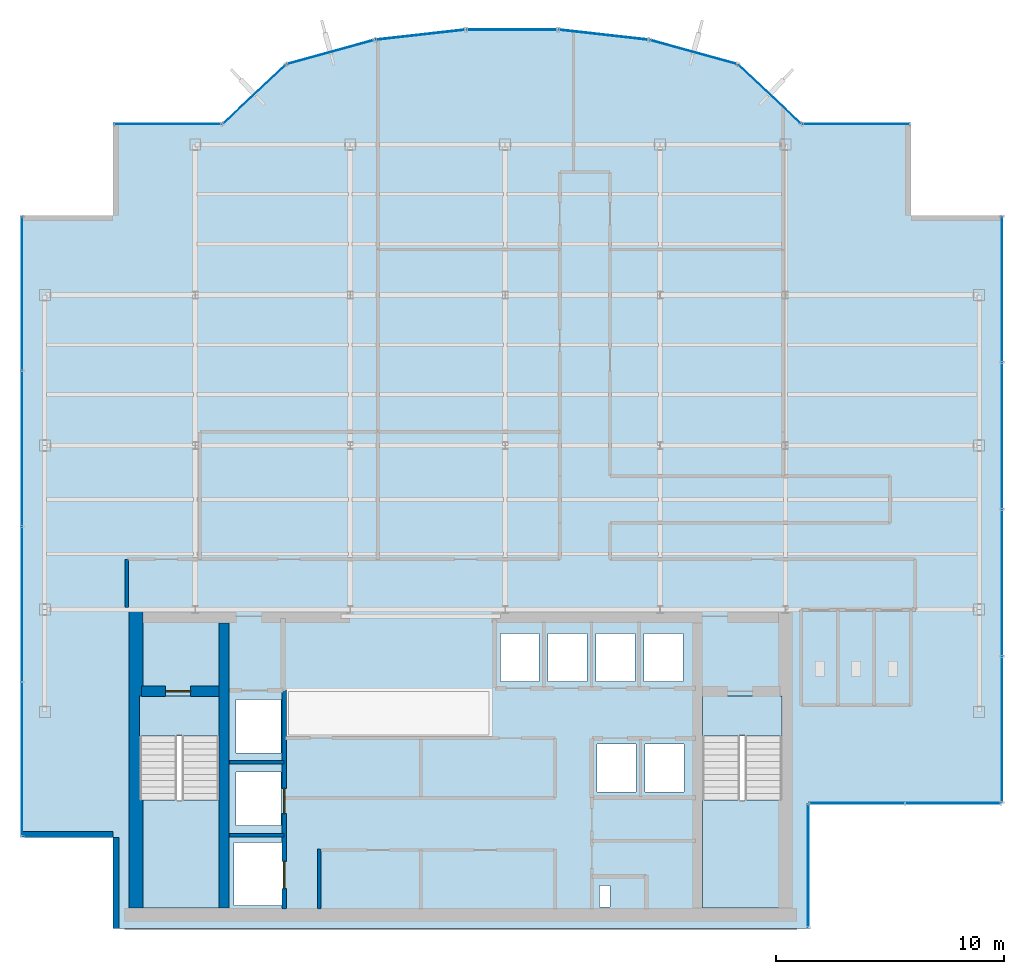
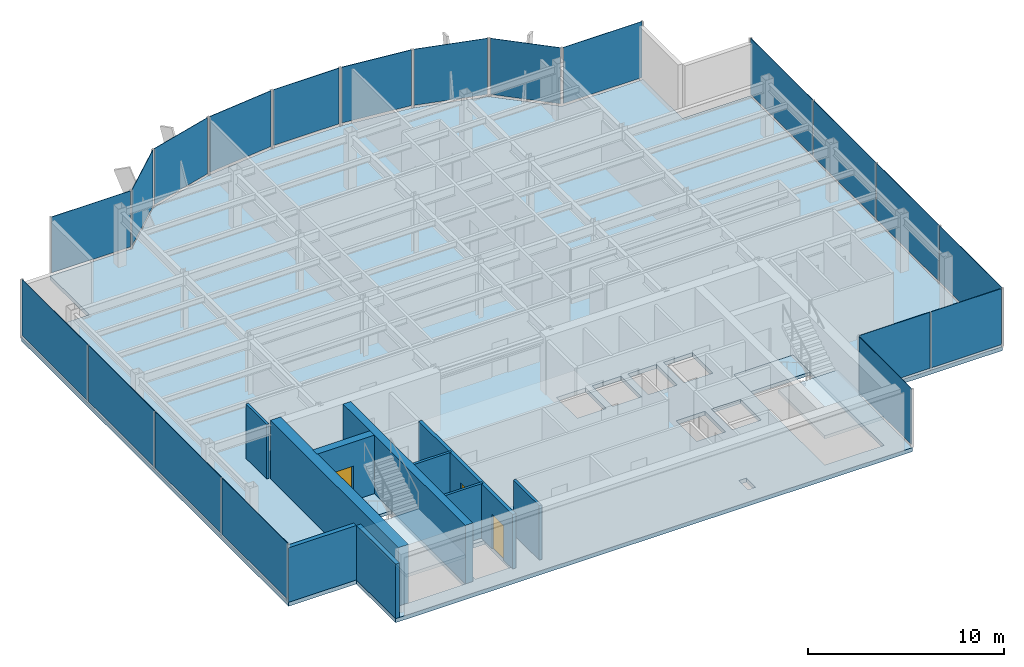
# One storey, part 16 of 22: 20 plates, 10 walls, 5 slabs, 3 doors, 3 openings, 15 elements without a shape of their own.
"""IFC4 building model written with IfcOpenShell, lengths in metres."""

from ifc_helpers import new_model, si_unit, derived_unit, direction, frame, frame_2d, origin, origin_2d, place, context, subcontext, project, spatial, polyline, rectangle, outline, extrude, source, transform, mapped, material, layer, layer_set, type_object, element, fill, aggregate, save


model = new_model("IFC4")

# Units and contexts
model_context = context("Model", 3, precision=1e-05, world=origin(), true_north=direction((0.0, 1.0)))
body_context = subcontext(model_context, "Body", "Model", "MODEL_VIEW")
ifc_project = project(units=[si_unit("LENGTHUNIT", "METRE"), si_unit("AREAUNIT", "SQUARE_METRE"), si_unit("VOLUMEUNIT", "CUBIC_METRE"), si_unit("PLANEANGLEUNIT", "RADIAN"), si_unit("MASSUNIT", "GRAM", prefix="KILO"), derived_unit("THERMALTRANSMITTANCEUNIT", [(si_unit("POWERUNIT", "WATT"), 1), (si_unit("LENGTHUNIT", "METRE"), -2), (si_unit("THERMODYNAMICTEMPERATUREUNIT", "KELVIN"), -1)])], contexts=[model_context])

# Site, building, storey
site_placement = place(None, origin())
site = spatial("IfcSite", under=ifc_project, at=site_placement, CompositionType="ELEMENT")
building_placement = place(site_placement, origin())
building = spatial("IfcBuilding", under=site, at=building_placement, Name="Skarnbrae Concourse Arena and Tower", CompositionType="ELEMENT")
storey_placement = place(building_placement, frame((0.0, 0.0, 217.800048828125)))
storey = spatial("IfcBuildingStorey", under=building, at=storey_placement, Name="L56", CompositionType="ELEMENT", Elevation=217.800048828125)

# Stair, slab
ifc_material_1 = material(Name="Concrete 40 MPa (C40/50)", Category="concrete")
stair_type = type_object("IfcStairType", Name="STAIR-DOGLEG-1650", PredefinedType="HALF_TURN_STAIR", material=ifc_material_1)
stair_1_placement = place(storey_placement, origin())
stair_1 = element("IfcStair", 1, at=stair_1_placement, inside=storey, type_object=stair_type, Name="L56 Protected Exit Stair ST-1", PredefinedType="HALF_TURN_STAIR")
ifc_layer_1 = layer(ifc_material_1, 0.199951171875)
ifc_layer_set_1 = layer_set([ifc_layer_1], Name="Concrete 40 MPa (C40/50)")
slab_type_1 = type_object("IfcSlabType", Name="SLAB-LANDING-200", PredefinedType="LANDING", material=ifc_layer_set_1)
slab_1_placement = place(storey_placement, frame((0.0, 0.0, 1.625)))
slab_1 = element("IfcSlab", 2, at=slab_1_placement, type_object=slab_type_1, Name="ST-1 landing 1", PredefinedType="LANDING", context=body_context, shape_type="SweptSolid", body=[
    extrude(outline(polyline([(5.14990234375, 5.64990234375), (5.14990234375, 0.89990234375), (8.64990234375, 0.89990234375), (8.64990234375, 5.64990234375), (5.14990234375, 5.64990234375)])), origin(), (0.0, 0.0, 1.0), 0.199951171875),
])
aggregate(stair_1, [slab_1])

stair_2_placement = place(storey_placement, origin())
stair_2 = element("IfcStair", 3, at=stair_2_placement, inside=storey, type_object=stair_type, Name="L56 Protected Exit Stair ST-2", PredefinedType="HALF_TURN_STAIR")
slab_2_placement = place(storey_placement, frame((0.0, 0.0, 1.625)))
slab_2 = element("IfcSlab", 4, at=slab_2_placement, type_object=slab_type_1, Name="ST-2 landing 1", PredefinedType="LANDING", context=body_context, shape_type="SweptSolid", body=[
    extrude(outline(polyline([(29.85009765625, 5.64990234375), (29.85009765625, 0.89990234375), (33.35009765625, 0.89990234375), (33.35009765625, 5.64990234375), (29.85009765625, 5.64990234375)])), origin(), (0.0, 0.0, 1.0), 0.199951171875),
])
aggregate(stair_2, [slab_2])

# Slabs
slab_3_placement = place(storey_placement, frame((0.0, 0.0, -0.199951171875)))
element("IfcSlab", 5, at=slab_3_placement, inside=storey, type_object=slab_type_1, Name="L56 Core stair ST1 floor landing", PredefinedType="LANDING", context=body_context, shape_type="SweptSolid", body=[
    extrude(outline(polyline([(5.14990234375, 10.199951171875), (5.14990234375, 8.449951171875), (8.64990234375, 8.449951171875), (8.64990234375, 10.199951171875), (5.14990234375, 10.199951171875)])), origin(), (0.0, 0.0, 1.0), 0.199951171875),
])
slab_4_placement = place(storey_placement, frame((0.0, 0.0, -0.199951171875)))
element("IfcSlab", 6, at=slab_4_placement, inside=storey, type_object=slab_type_1, Name="L56 Core stair ST2 floor landing", PredefinedType="LANDING", context=body_context, shape_type="SweptSolid", body=[
    extrude(outline(polyline([(29.85009765625, 10.199951171875), (29.85009765625, 8.449951171875), (33.35009765625, 8.449951171875), (33.35009765625, 10.199951171875), (29.85009765625, 10.199951171875)])), origin(), (0.0, 0.0, 1.0), 0.199951171875),
])
ifc_layer_2 = layer(ifc_material_1, 0.25)
ifc_layer_set_2 = layer_set([ifc_layer_2], Name="Concrete 40 MPa (C40/50)")
slab_type_2 = type_object("IfcSlabType", Name="SLAB-TOWER-250", PredefinedType="FLOOR", material=ifc_layer_set_2)
slab_5_placement = place(storey_placement, frame((0.0, 0.0, -0.25)))
element("IfcSlab", 7, at=slab_5_placement, inside=storey, type_object=slab_type_2, Name="L56 Structural floor slab", PredefinedType="FLOOR", context=body_context, shape_type="SweptSolid", body=[
    extrude(outline(polyline([(4.0, 0.0), (34.5, 0.0), (34.5, 5.5), (43.0, 5.5), (43.0, 31.300048828125), (39.0, 31.300048828125), (39.0, 35.300048828125), (34.199951171875, 35.300048828125), (31.40966796875, 37.9267578125), (27.52587890625, 38.9970703125), (23.51708984375, 39.44677734375), (19.48291015625, 39.44677734375), (15.47412109375, 38.9970703125), (11.59033203125, 37.9267578125), (8.800048828125, 35.300048828125), (4.0, 35.300048828125), (4.0, 31.300048828125), (0.0, 31.300048828125), (0.0, 4.0), (4.0, 4.0), (4.0, 0.0)]), holes=[polyline([(9.294921875, 1.02001953125), (9.294921875, 3.780029296875), (11.455078125, 3.780029296875), (11.455078125, 1.02001953125), (9.294921875, 1.02001953125)]), polyline([(8.64990234375, 10.199951171875), (8.64990234375, 0.89990234375), (5.14990234375, 0.89990234375), (5.14990234375, 10.199951171875), (8.64990234375, 10.199951171875)]), polyline([(9.39501953125, 6.8798828125), (11.35498046875, 6.8798828125), (11.35498046875, 4.52001953125), (9.39501953125, 4.52001953125), (9.39501953125, 6.8798828125)]), polyline([(9.39501953125, 7.695068359375), (9.39501953125, 10.054931640625), (11.35498046875, 10.054931640625), (11.35498046875, 7.695068359375), (9.39501953125, 7.695068359375)]), polyline([(20.985107421875, 12.955078125), (22.695068359375, 12.955078125), (22.695068359375, 10.844970703125), (20.985107421875, 10.844970703125), (20.985107421875, 12.955078125)]), polyline([(23.0849609375, 12.955078125), (24.794921875, 12.955078125), (24.794921875, 10.844970703125), (23.0849609375, 10.844970703125), (23.0849609375, 12.955078125)]), polyline([(25.35009765625, 0.949951171875), (25.35009765625, 1.889892578125), (25.800048828125, 1.889892578125), (25.800048828125, 0.949951171875), (25.35009765625, 0.949951171875)]), polyline([(33.35009765625, 10.199951171875), (33.35009765625, 0.89990234375), (29.85009765625, 0.89990234375), (29.85009765625, 10.199951171875), (33.35009765625, 10.199951171875)]), polyline([(25.235107421875, 8.10498046875), (26.945068359375, 8.10498046875), (26.945068359375, 5.9951171875), (25.235107421875, 5.9951171875), (25.235107421875, 8.10498046875)]), polyline([(27.3349609375, 5.9951171875), (27.3349609375, 8.10498046875), (29.044921875, 8.10498046875), (29.044921875, 5.9951171875), (27.3349609375, 5.9951171875)]), polyline([(25.18505859375, 12.955078125), (26.89501953125, 12.955078125), (26.89501953125, 10.844970703125), (25.18505859375, 10.844970703125), (25.18505859375, 12.955078125)]), polyline([(27.284912109375, 12.955078125), (28.9951171875, 12.955078125), (28.9951171875, 10.844970703125), (27.284912109375, 10.844970703125), (27.284912109375, 12.955078125)])]), origin(), (0.0, 0.0, 1.0), 0.25),
])

# Curtain wall, plate
ifc_material_2 = material(Name="Bronze anodised aluminium 6063-T6", Category="aluminium")
curtain_wall_type_1 = type_object("IfcCurtainWallType", Name="CW-SYS-05-HIGHZONE", PredefinedType="USERDEFINED", material=ifc_material_2)
curtain_wall_1_placement = place(storey_placement, origin())
curtain_wall_1 = element("IfcCurtainWall", 8, at=curtain_wall_1_placement, inside=storey, type_object=curtain_wall_type_1, Name="L56 Unitised curtain wall CW-L56-E02", ObjectType="UNITISED CURTAIN WALL", PredefinedType="USERDEFINED")
ifc_material_3 = material(Name="Low-E triple insulating glass", Category="glass")
ifc_layer_3 = layer(ifc_material_3, 0.030029296875)
ifc_layer_set_3 = layer_set([ifc_layer_3], Name="Low-E triple insulating glass")
plate_type_1 = type_object("IfcPlateType", Name="CWP-CW-05", PredefinedType="CURTAIN_PANEL", material=ifc_layer_set_3)
shared_shape_1 = source(origin(), body_context, "Body", "SweptSolid", [
    extrude(rectangle(XDim=5.35009765625, YDim=0.030029296875, at=origin_2d()), origin(), (0.0, 0.0, 1.0), 3.5),
])
plate_1_placement = place(storey_placement, frame((34.5, 2.75, 0.14990234375), z_axis=(0.0, 0.0, 1.0), x_axis=(0.0, 1.0, 0.0)))
plate_1 = element("IfcPlate", 9, at=plate_1_placement, type_object=plate_type_1, Name="CW-L56-E02 Low-E Glazing Panel 1", PredefinedType="CURTAIN_PANEL", context=body_context, shape_type="MappedRepresentation", body=[
    mapped(shared_shape_1, transform((0.0, 0.0, 0.0))),
])
aggregate(curtain_wall_1, [plate_1])

# Curtain wall, plates
curtain_wall_2_placement = place(storey_placement, origin())
curtain_wall_2 = element("IfcCurtainWall", 10, at=curtain_wall_2_placement, inside=storey, type_object=curtain_wall_type_1, Name="L56 Unitised curtain wall CW-L56-E03", ObjectType="UNITISED CURTAIN WALL", PredefinedType="USERDEFINED")
shared_shape_2 = source(origin(), body_context, "Body", "SweptSolid", [
    extrude(rectangle(XDim=4.137451171875, YDim=0.030029296875, at=origin_2d()), origin(), (0.0, 0.0, 1.0), 3.5),
])
plate_2_placement = place(storey_placement, frame((36.643798828125, 5.5, 0.14990234375), z_axis=(0.0, 0.0, 1.0), x_axis=(1.0, 0.0, 0.0)))
plate_2 = element("IfcPlate", 11, at=plate_2_placement, type_object=plate_type_1, Name="CW-L56-E03 Low-E Glazing Panel 1", PredefinedType="CURTAIN_PANEL", context=body_context, shape_type="MappedRepresentation", body=[
    mapped(shared_shape_2, transform((0.0, 0.0, 0.0))),
])
plate_3_placement = place(storey_placement, frame((40.856201171875, 5.5, 0.14990234375), z_axis=(0.0, 0.0, 1.0), x_axis=(1.0, 0.0, 0.0)))
plate_3 = element("IfcPlate", 12, at=plate_3_placement, type_object=plate_type_1, Name="CW-L56-E03 Low-E Glazing Panel 2", PredefinedType="CURTAIN_PANEL", context=body_context, shape_type="MappedRepresentation", body=[
    mapped(shared_shape_2, transform((0.0, 0.0, 0.0))),
])
aggregate(curtain_wall_2, [plate_2, plate_3])

# Curtain wall, plate
curtain_wall_3_placement = place(storey_placement, origin())
curtain_wall_3 = element("IfcCurtainWall", 13, at=curtain_wall_3_placement, inside=storey, type_object=curtain_wall_type_1, Name="L56 Unitised curtain wall CW-L56-E07", ObjectType="UNITISED CURTAIN WALL", PredefinedType="USERDEFINED")
shared_shape_3 = source(origin(), body_context, "Body", "SweptSolid", [
    extrude(rectangle(XDim=4.64990234375, YDim=0.030029296875, at=origin_2d()), origin(), (0.0, 0.0, 1.0), 3.5),
])
plate_4_placement = place(storey_placement, frame((36.60009765625, 35.300048828125, 0.14990234375), z_axis=(0.0, 0.0, 1.0), x_axis=(-1.0, 0.0, 0.0)))
plate_4 = element("IfcPlate", 14, at=plate_4_placement, type_object=plate_type_1, Name="CW-L56-E07 Low-E Glazing Panel 1", PredefinedType="CURTAIN_PANEL", context=body_context, shape_type="MappedRepresentation", body=[
    mapped(shared_shape_3, transform((0.0, 0.0, 0.0))),
])
aggregate(curtain_wall_3, [plate_4])

curtain_wall_4_placement = place(storey_placement, origin())
curtain_wall_4 = element("IfcCurtainWall", 15, at=curtain_wall_4_placement, inside=storey, type_object=curtain_wall_type_1, Name="L56 Unitised curtain wall CW-L56-E15", ObjectType="UNITISED CURTAIN WALL", PredefinedType="USERDEFINED")
plate_5_placement = place(storey_placement, frame((6.39990234375, 35.300048828125, 0.14990234375), z_axis=(0.0, 0.0, 1.0), x_axis=(-1.0, 0.0, 0.0)))
plate_5 = element("IfcPlate", 16, at=plate_5_placement, type_object=plate_type_1, Name="CW-L56-E15 Low-E Glazing Panel 1", PredefinedType="CURTAIN_PANEL", context=body_context, shape_type="MappedRepresentation", body=[
    mapped(shared_shape_3, transform((0.0, 0.0, 0.0))),
])
aggregate(curtain_wall_4, [plate_5])

curtain_wall_5_placement = place(storey_placement, origin())
curtain_wall_5 = element("IfcCurtainWall", 17, at=curtain_wall_5_placement, inside=storey, type_object=curtain_wall_type_1, Name="L56 Unitised curtain wall CW-L56-E08", ObjectType="UNITISED CURTAIN WALL", PredefinedType="USERDEFINED")
shared_shape_4 = source(origin(), body_context, "Body", "SweptSolid", [
    extrude(rectangle(XDim=3.68212890625, YDim=0.030029296875, at=origin_2d()), origin(), (0.0, 0.0, 1.0), 3.5),
])
plate_6_placement = place(storey_placement, frame((32.804931640625, 36.61328125, 0.14990234375), z_axis=(0.0, 0.0, 1.0), x_axis=(-0.728130555214, 0.685438468838, 0.0)))
plate_6 = element("IfcPlate", 18, at=plate_6_placement, type_object=plate_type_1, Name="CW-L56-E08 Low-E Glazing Panel 1", PredefinedType="CURTAIN_PANEL", context=body_context, shape_type="MappedRepresentation", body=[
    mapped(shared_shape_4, transform((0.0, 0.0, 0.0))),
])
aggregate(curtain_wall_5, [plate_6])

curtain_wall_6_placement = place(storey_placement, origin())
curtain_wall_6 = element("IfcCurtainWall", 19, at=curtain_wall_6_placement, inside=storey, type_object=curtain_wall_type_1, Name="L56 Unitised curtain wall CW-L56-E14", ObjectType="UNITISED CURTAIN WALL", PredefinedType="USERDEFINED")
plate_7_placement = place(storey_placement, frame((10.195068359375, 36.61328125, 0.14990234375), z_axis=(0.0, 0.0, 1.0), x_axis=(-0.728130555214, -0.685438468838, 0.0)))
plate_7 = element("IfcPlate", 20, at=plate_7_placement, type_object=plate_type_1, Name="CW-L56-E14 Low-E Glazing Panel 1", PredefinedType="CURTAIN_PANEL", context=body_context, shape_type="MappedRepresentation", body=[
    mapped(shared_shape_4, transform((0.0, 0.0, 0.0))),
])
aggregate(curtain_wall_6, [plate_7])

curtain_wall_7_placement = place(storey_placement, origin())
curtain_wall_7 = element("IfcCurtainWall", 21, at=curtain_wall_7_placement, inside=storey, type_object=curtain_wall_type_1, Name="L56 Unitised curtain wall CW-L56-E09", ObjectType="UNITISED CURTAIN WALL", PredefinedType="USERDEFINED")
shared_shape_5 = source(origin(), body_context, "Body", "SweptSolid", [
    extrude(rectangle(XDim=3.878662109375, YDim=0.030029296875, at=origin_2d()), origin(), (0.0, 0.0, 1.0), 3.5),
])
plate_8_placement = place(storey_placement, frame((29.4677734375, 38.4619140625, 0.14990234375), z_axis=(0.0, 0.0, 1.0), x_axis=(-0.964057388766, 0.265694093207, 0.0)))
plate_8 = element("IfcPlate", 22, at=plate_8_placement, type_object=plate_type_1, Name="CW-L56-E09 Low-E Glazing Panel 1", PredefinedType="CURTAIN_PANEL", context=body_context, shape_type="MappedRepresentation", body=[
    mapped(shared_shape_5, transform((0.0, 0.0, 0.0))),
])
aggregate(curtain_wall_7, [plate_8])

curtain_wall_8_placement = place(storey_placement, origin())
curtain_wall_8 = element("IfcCurtainWall", 23, at=curtain_wall_8_placement, inside=storey, type_object=curtain_wall_type_1, Name="L56 Unitised curtain wall CW-L56-E13", ObjectType="UNITISED CURTAIN WALL", PredefinedType="USERDEFINED")
plate_9_placement = place(storey_placement, frame((13.5322265625, 38.4619140625, 0.14990234375), z_axis=(0.0, 0.0, 1.0), x_axis=(-0.964057388766, -0.265694093207, 0.0)))
plate_9 = element("IfcPlate", 24, at=plate_9_placement, type_object=plate_type_1, Name="CW-L56-E13 Low-E Glazing Panel 1", PredefinedType="CURTAIN_PANEL", context=body_context, shape_type="MappedRepresentation", body=[
    mapped(shared_shape_5, transform((0.0, 0.0, 0.0))),
])
aggregate(curtain_wall_8, [plate_9])

# Curtain wall, plates
curtain_wall_9_placement = place(storey_placement, origin())
curtain_wall_9 = element("IfcCurtainWall", 25, at=curtain_wall_9_placement, inside=storey, type_object=curtain_wall_type_1, Name="L56 Unitised curtain wall CW-L56-E18", ObjectType="UNITISED CURTAIN WALL", PredefinedType="USERDEFINED")
shared_shape_6 = source(origin(), body_context, "Body", "SweptSolid", [
    extrude(rectangle(XDim=6.71240234375, YDim=0.030029296875, at=origin_2d()), origin(), (0.0, 0.0, 1.0), 3.5),
])
plate_10_placement = place(storey_placement, frame((0.0, 27.86865234375, 0.14990234375), z_axis=(0.0, 0.0, 1.0), x_axis=(0.0, -1.0, 0.0)))
plate_10 = element("IfcPlate", 26, at=plate_10_placement, type_object=plate_type_1, Name="CW-L56-E18 Low-E Glazing Panel 1", PredefinedType="CURTAIN_PANEL", context=body_context, shape_type="MappedRepresentation", body=[
    mapped(shared_shape_6, transform((0.0, 0.0, 0.0))),
])
plate_11_placement = place(storey_placement, frame((0.0, 7.431396484375, 0.14990234375), z_axis=(0.0, 0.0, 1.0), x_axis=(0.0, -1.0, 0.0)))
plate_11 = element("IfcPlate", 27, at=plate_11_placement, type_object=plate_type_1, Name="CW-L56-E18 Low-E Glazing Panel 4", PredefinedType="CURTAIN_PANEL", context=body_context, shape_type="MappedRepresentation", body=[
    mapped(shared_shape_6, transform((0.0, 0.0, 0.0))),
])
shared_shape_7 = source(origin(), body_context, "Body", "SweptSolid", [
    extrude(rectangle(XDim=6.75, YDim=0.030029296875, at=origin_2d()), origin(), (0.0, 0.0, 1.0), 3.5),
])
plate_12_placement = place(storey_placement, frame((0.0, 21.0625, 0.14990234375), z_axis=(0.0, 0.0, 1.0), x_axis=(0.0, -1.0, 0.0)))
plate_12 = element("IfcPlate", 28, at=plate_12_placement, type_object=plate_type_1, Name="CW-L56-E18 Low-E Glazing Panel 2", PredefinedType="CURTAIN_PANEL", context=body_context, shape_type="MappedRepresentation", body=[
    mapped(shared_shape_7, transform((0.0, 0.0, 0.0))),
])
plate_13_placement = place(storey_placement, frame((0.0, 14.237548828125, 0.14990234375), z_axis=(0.0, 0.0, 1.0), x_axis=(0.0, -1.0, 0.0)))
plate_13 = element("IfcPlate", 29, at=plate_13_placement, type_object=plate_type_1, Name="CW-L56-E18 Low-E Glazing Panel 3", PredefinedType="CURTAIN_PANEL", context=body_context, shape_type="MappedRepresentation", body=[
    mapped(shared_shape_7, transform((0.0, 0.0, 0.0))),
])
aggregate(curtain_wall_9, [plate_10, plate_12, plate_13, plate_11])

curtain_wall_10_placement = place(storey_placement, origin())
curtain_wall_10 = element("IfcCurtainWall", 30, at=curtain_wall_10_placement, inside=storey, type_object=curtain_wall_type_1, Name="L56 Unitised curtain wall CW-L56-E04", ObjectType="UNITISED CURTAIN WALL", PredefinedType="USERDEFINED")
shared_shape_8 = source(origin(), body_context, "Body", "SweptSolid", [
    extrude(rectangle(XDim=6.33740234375, YDim=0.030029296875, at=origin_2d()), origin(), (0.0, 0.0, 1.0), 3.5),
])
plate_14_placement = place(storey_placement, frame((43.0, 8.743896484375, 0.14990234375), z_axis=(0.0, 0.0, 1.0), x_axis=(0.0, 1.0, 0.0)))
plate_14 = element("IfcPlate", 31, at=plate_14_placement, type_object=plate_type_1, Name="CW-L56-E04 Low-E Glazing Panel 1", PredefinedType="CURTAIN_PANEL", context=body_context, shape_type="MappedRepresentation", body=[
    mapped(shared_shape_8, transform((0.0, 0.0, 0.0))),
])
plate_15_placement = place(storey_placement, frame((43.0, 28.05615234375, 0.14990234375), z_axis=(0.0, 0.0, 1.0), x_axis=(0.0, 1.0, 0.0)))
plate_15 = element("IfcPlate", 32, at=plate_15_placement, type_object=plate_type_1, Name="CW-L56-E04 Low-E Glazing Panel 4", PredefinedType="CURTAIN_PANEL", context=body_context, shape_type="MappedRepresentation", body=[
    mapped(shared_shape_8, transform((0.0, 0.0, 0.0))),
])
shared_shape_9 = source(origin(), body_context, "Body", "SweptSolid", [
    extrude(rectangle(XDim=6.375, YDim=0.030029296875, at=origin_2d()), origin(), (0.0, 0.0, 1.0), 3.5),
])
plate_16_placement = place(storey_placement, frame((43.0, 15.175048828125, 0.14990234375), z_axis=(0.0, 0.0, 1.0), x_axis=(0.0, 1.0, 0.0)))
plate_16 = element("IfcPlate", 33, at=plate_16_placement, type_object=plate_type_1, Name="CW-L56-E04 Low-E Glazing Panel 2", PredefinedType="CURTAIN_PANEL", context=body_context, shape_type="MappedRepresentation", body=[
    mapped(shared_shape_9, transform((0.0, 0.0, 0.0))),
])
plate_17_placement = place(storey_placement, frame((43.0, 21.625, 0.14990234375), z_axis=(0.0, 0.0, 1.0), x_axis=(0.0, 1.0, 0.0)))
plate_17 = element("IfcPlate", 34, at=plate_17_placement, type_object=plate_type_1, Name="CW-L56-E04 Low-E Glazing Panel 3", PredefinedType="CURTAIN_PANEL", context=body_context, shape_type="MappedRepresentation", body=[
    mapped(shared_shape_9, transform((0.0, 0.0, 0.0))),
])
aggregate(curtain_wall_10, [plate_14, plate_16, plate_17, plate_15])

# Curtain wall, plate
curtain_wall_type_2 = type_object("IfcCurtainWallType", Name="CW-SYS-03-PORTAL", PredefinedType="USERDEFINED", material=ifc_material_2)
curtain_wall_11_placement = place(storey_placement, origin())
curtain_wall_11 = element("IfcCurtainWall", 35, at=curtain_wall_11_placement, inside=storey, type_object=curtain_wall_type_2, Name="L56 Unitised curtain wall CW-L56-E10", ObjectType="UNITISED CURTAIN WALL", PredefinedType="USERDEFINED")
ifc_layer_4 = layer(ifc_material_3, 0.033935546875)
ifc_layer_set_4 = layer_set([ifc_layer_4], Name="Low-E triple insulating glass")
plate_type_2 = type_object("IfcPlateType", Name="CWP-CW-03", PredefinedType="CURTAIN_PANEL", material=ifc_layer_set_4)
shared_shape_10 = source(origin(), body_context, "Body", "SweptSolid", [
    extrude(rectangle(XDim=3.873779296875, YDim=0.033935546875, at=origin_2d()), origin(), (0.0, 0.0, 1.0), 3.47998046875),
])
plate_18_placement = place(storey_placement, frame((25.521484375, 39.221923828125, 0.169921875), z_axis=(0.0, 0.0, 1.0), x_axis=(-0.993768891873, 0.111460259941, 0.0)))
plate_18 = element("IfcPlate", 36, at=plate_18_placement, type_object=plate_type_2, Name="CW-L56-E10 Low-E Glazing Panel 1", PredefinedType="CURTAIN_PANEL", context=body_context, shape_type="MappedRepresentation", body=[
    mapped(shared_shape_10, transform((0.0, 0.0, 0.0))),
])
aggregate(curtain_wall_11, [plate_18])

curtain_wall_12_placement = place(storey_placement, origin())
curtain_wall_12 = element("IfcCurtainWall", 37, at=curtain_wall_12_placement, inside=storey, type_object=curtain_wall_type_2, Name="L56 Unitised curtain wall CW-L56-E12", ObjectType="UNITISED CURTAIN WALL", PredefinedType="USERDEFINED")
plate_19_placement = place(storey_placement, frame((17.478515625, 39.221923828125, 0.169921875), z_axis=(0.0, 0.0, 1.0), x_axis=(-0.993768891873, -0.111460259941, 0.0)))
plate_19 = element("IfcPlate", 38, at=plate_19_placement, type_object=plate_type_2, Name="CW-L56-E12 Low-E Glazing Panel 1", PredefinedType="CURTAIN_PANEL", context=body_context, shape_type="MappedRepresentation", body=[
    mapped(shared_shape_10, transform((0.0, 0.0, 0.0))),
])
aggregate(curtain_wall_12, [plate_19])

curtain_wall_13_placement = place(storey_placement, origin())
curtain_wall_13 = element("IfcCurtainWall", 39, at=curtain_wall_13_placement, inside=storey, type_object=curtain_wall_type_2, Name="L56 Unitised curtain wall CW-L56-E11", ObjectType="UNITISED CURTAIN WALL", PredefinedType="USERDEFINED")
shared_shape_11 = source(origin(), body_context, "Body", "SweptSolid", [
    extrude(rectangle(XDim=3.87451171875, YDim=0.033935546875, at=origin_2d()), origin(), (0.0, 0.0, 1.0), 3.47998046875),
])
plate_20_placement = place(storey_placement, frame((21.5, 39.44677734375, 0.169921875), z_axis=(0.0, 0.0, 1.0), x_axis=(-1.0, 0.0, 0.0)))
plate_20 = element("IfcPlate", 40, at=plate_20_placement, type_object=plate_type_2, Name="CW-L56-E11 Low-E Glazing Panel 1", PredefinedType="CURTAIN_PANEL", context=body_context, shape_type="MappedRepresentation", body=[
    mapped(shared_shape_11, transform((0.0, 0.0, 0.0))),
])
aggregate(curtain_wall_13, [plate_20])

# Wall, opening, door
ifc_material_4 = material(Name="Concrete 50 MPa (C50/60)", Category="concrete")
ifc_layer_5 = layer(ifc_material_4, 0.449951171875)
ifc_layer_set_5 = layer_set([ifc_layer_5], Name="Concrete 50 MPa (C50/60)")
wall_type_1 = type_object("IfcWallType", Name="WALL-CORE-450-C50", PredefinedType="SHEAR", material=ifc_layer_set_5)
shared_shape_12 = source(origin(), body_context, "Body", "SweptSolid", [
    extrude(rectangle(XDim=3.389892578125, YDim=0.449951171875, at=frame_2d((1.69482421875, 0.0))), origin(), (0.0, 0.0, 1.0), 3.64990234375),
])
wall_1_placement = place(storey_placement, frame((5.25, 10.419921875, 0.0), z_axis=(0.0, 0.0, 1.0), x_axis=(1.0, 0.0, 0.0)))
wall_1 = element("IfcWall", 41, at=wall_1_placement, inside=storey, type_object=wall_type_1, Name="L56 Rear core shear wall CW-ST1-N", PredefinedType="SHEAR", context=body_context, shape_type="MappedRepresentation", body=[
    mapped(shared_shape_12, transform((0.0, 0.0, 0.0))),
])
opening_1_placement = place(wall_1_placement, frame((1.050048828125, 0.0, 0.0)))
opening_1 = element("IfcOpeningElement", 42, at=opening_1_placement, cuts=wall_1, Name="Opening DT-03", PredefinedType="OPENING", context=body_context, shape_type="SweptSolid", body=[
    extrude(rectangle(XDim=1.10009765625, YDim=2.14990234375, at=frame_2d((0.550048828125, 1.074951171875))), frame((0.0, 0.23486328125, 0.0), z_axis=(0.0, -1.0, 0.0), x_axis=(1.0, 0.0, 0.0)), (0.0, 0.0, 1.0), 0.469970703125),
])
ifc_material_5 = material(Name="Steel CSA G40.21 350W", Category="steel")
door_type_1 = type_object("IfcDoorType", Name="DOOR-FIRE-1100-90M", OperationType="NOTDEFINED", PredefinedType="DOOR", material=ifc_material_5)
shared_shape_13 = source(origin(), body_context, "Body", "SweptSolid", [
    extrude(rectangle(XDim=1.10009765625, YDim=2.14990234375, at=frame_2d((0.550048828125, 1.074951171875))), frame((0.0, 0.02490234375, 0.0), z_axis=(0.0, -1.0, 0.0), x_axis=(1.0, 0.0, 0.0)), (0.0, 0.0, 1.0), 0.050048828125),
])
door_1_placement = place(opening_1_placement, frame((1.10009765625, 0.0, 0.0), z_axis=(0.0, 0.0, 1.0), x_axis=(-1.0, 0.0, 0.0)))
door_1 = element("IfcDoor", 43, at=door_1_placement, inside=storey, type_object=door_type_1, Name="D-1701 Stair ST-1 Door", OperationType="SINGLE_SWING_LEFT", OverallHeight=2.14990234375, OverallWidth=1.10009765625, PredefinedType="DOOR", context=body_context, shape_type="MappedRepresentation", body=[
    mapped(shared_shape_13, transform((0.0, 0.0, 0.0))),
])
fill(opening_1, door_1)

# Walls
ifc_layer_6 = layer(ifc_material_4, 0.60009765625)
ifc_layer_set_6 = layer_set([ifc_layer_6], Name="Concrete 50 MPa (C50/60)")
wall_type_2 = type_object("IfcWallType", Name="WALL-CORE-600-C50", PredefinedType="SHEAR", material=ifc_layer_set_6)
shared_shape_14 = source(origin(), body_context, "Body", "SweptSolid", [
    extrude(rectangle(XDim=13.10009765625, YDim=0.60009765625, at=frame_2d((6.550048828125, 0.0))), origin(), (0.0, 0.0, 1.0), 3.64990234375),
])
wall_2_placement = place(storey_placement, frame((5.0, 0.89990234375, 0.0), z_axis=(0.0, 0.0, 1.0), x_axis=(0.0, 1.0, 0.0)))
element("IfcWall", 44, at=wall_2_placement, inside=storey, type_object=wall_type_2, Name="L56 Rear core shear wall CW-W", PredefinedType="SHEAR", context=body_context, shape_type="MappedRepresentation", body=[
    mapped(shared_shape_14, transform((0.0, 0.0, 0.0))),
])
shared_shape_15 = source(origin(), body_context, "Body", "SweptSolid", [
    extrude(rectangle(XDim=12.5, YDim=0.449951171875, at=frame_2d((6.25, 0.0))), origin(), (0.0, 0.0, 1.0), 3.64990234375),
])
wall_3_placement = place(storey_placement, frame((8.864990234375, 0.89990234375, 0.0), z_axis=(0.0, 0.0, 1.0), x_axis=(0.0, 1.0, 0.0)))
element("IfcWall", 45, at=wall_3_placement, inside=storey, type_object=wall_type_1, Name="L56 Rear core shear wall CW-WEB-W", PredefinedType="SHEAR", context=body_context, shape_type="MappedRepresentation", body=[
    mapped(shared_shape_15, transform((0.0, 0.0, 0.0))),
])
ifc_material_6 = material(Name="Precast concrete 40 MPa (C40/50)", Category="concrete")
ifc_layer_7 = layer(ifc_material_6, 0.25)
ifc_layer_set_7 = layer_set([ifc_layer_7], Name="Precast concrete 40 MPa (C40/50)")
wall_type_3 = type_object("IfcWallType", Name="WALL-EXT-SPANDREL-250", PredefinedType="STANDARD", material=ifc_layer_set_7)
shared_shape_16 = source(origin(), body_context, "Body", "SweptSolid", [
    extrude(rectangle(XDim=4.0, YDim=0.25, at=frame_2d((2.0, 0.0))), origin(), (0.0, 0.0, 1.0), 3.39990234375),
])
for number, where, z_axis, x_axis, name in (
    (46, (0.0, 4.125, 0.0), (0.0, 0.0, 1.0), (1.0, 0.0, 0.0), "L56 Notched corner insulated return wall 19"),
    (47, (4.125, 4.0, 0.0), (0.0, 0.0, 1.0), (0.0, -1.0, 0.0), "L56 Notched corner insulated return wall 20"),
):
    element("IfcWall", number, at=place(storey_placement, frame(where, z_axis=z_axis, x_axis=x_axis)), inside=storey, type_object=wall_type_3, Name=name, PredefinedType="STANDARD", context=body_context, shape_type="MappedRepresentation", body=[
        mapped(shared_shape_16, transform((0.0, 0.0, 0.0))),
    ])

# Wall, openings, doors
ifc_material_7 = material(Name="Gypsum board on cold-formed steel studs", Category="steel")
ifc_layer_8 = layer(ifc_material_7, 0.199951171875)
ifc_layer_set_8 = layer_set([ifc_layer_8], Name="Gypsum board on cold-formed steel studs")
wall_type_4 = type_object("IfcWallType", Name="WALL-PART-200-2HR", PredefinedType="PARTITIONING", material=ifc_layer_set_8)
shared_shape_17 = source(origin(), body_context, "Body", "SweptSolid", [
    extrude(rectangle(XDim=9.599853515625, YDim=0.199951171875, at=frame_2d((4.7998046875, 0.0))), origin(), (0.0, 0.0, 1.0), 3.39990234375),
])
wall_4_placement = place(storey_placement, frame((11.5, 0.85009765625, 0.0), z_axis=(0.0, 0.0, 1.0), x_axis=(0.0, 1.0, 0.0)))
wall_4 = element("IfcWall", 48, at=wall_4_placement, inside=storey, type_object=wall_type_4, Name="L56 Interior partition wall W-L56-FL-E", PredefinedType="PARTITIONING", context=body_context, shape_type="MappedRepresentation", body=[
    mapped(shared_shape_17, transform((0.0, 0.0, 0.0))),
])
opening_2_placement = place(wall_4_placement, frame((4.199951171875, 0.0, 0.0)))
opening_2 = element("IfcOpeningElement", 49, at=opening_2_placement, cuts=wall_4, Name="Opening LD-01", PredefinedType="OPENING", context=body_context, shape_type="SweptSolid", body=[
    extrude(rectangle(XDim=1.10009765625, YDim=2.14990234375, at=frame_2d((0.550048828125, 1.074951171875))), frame((0.0, 0.10986328125, 0.0), z_axis=(0.0, -1.0, 0.0), x_axis=(1.0, 0.0, 0.0)), (0.0, 0.0, 1.0), 0.219970703125),
])
opening_3_placement = place(wall_4_placement, frame((0.89990234375, 0.0, 0.0)))
opening_3 = element("IfcOpeningElement", 50, at=opening_3_placement, cuts=wall_4, Name="Opening LD-02", PredefinedType="OPENING", context=body_context, shape_type="SweptSolid", body=[
    extrude(rectangle(XDim=1.199951171875, YDim=2.14990234375, at=frame_2d((0.60009765625, 1.074951171875))), frame((0.0, 0.10986328125, 0.0), z_axis=(0.0, -1.0, 0.0), x_axis=(1.0, 0.0, 0.0)), (0.0, 0.0, 1.0), 0.219970703125),
])
door_type_2 = type_object("IfcDoorType", Name="DOOR-LIFT-SLIDE-1100", OperationType="SLIDING_TO_LEFT", PredefinedType="DOOR", material=ifc_material_5)
door_2_placement = place(opening_2_placement, frame((1.10009765625, 0.0, 0.0), z_axis=(0.0, 0.0, 1.0), x_axis=(-1.0, 0.0, 0.0)))
door_2 = element("IfcDoor", 51, at=door_2_placement, inside=storey, type_object=door_type_2, Name="D-1706 Firefighting Lift Landing Door FL-02", OperationType="SLIDING_TO_LEFT", OverallHeight=2.14990234375, OverallWidth=1.10009765625, PredefinedType="DOOR", context=body_context, shape_type="MappedRepresentation", body=[
    mapped(shared_shape_13, transform((0.0, 0.0, 0.0))),
])
fill(opening_2, door_2)
door_type_3 = type_object("IfcDoorType", Name="DOOR-LIFT-SLIDE-1200", OperationType="SLIDING_TO_LEFT", PredefinedType="DOOR", material=ifc_material_5)
shared_shape_18 = source(origin(), body_context, "Body", "SweptSolid", [
    extrude(rectangle(XDim=1.199951171875, YDim=2.14990234375, at=frame_2d((0.60009765625, 1.074951171875))), frame((0.0, 0.02490234375, 0.0), z_axis=(0.0, -1.0, 0.0), x_axis=(1.0, 0.0, 0.0)), (0.0, 0.0, 1.0), 0.050048828125),
])
door_3_placement = place(opening_3_placement, frame((1.199951171875, 0.0, 0.0), z_axis=(0.0, 0.0, 1.0), x_axis=(-1.0, 0.0, 0.0)))
door_3 = element("IfcDoor", 52, at=door_3_placement, inside=storey, type_object=door_type_3, Name="D-1707 Service Lift Landing Door SV-01", OperationType="SLIDING_TO_LEFT", OverallHeight=2.14990234375, OverallWidth=1.199951171875, PredefinedType="DOOR", context=body_context, shape_type="MappedRepresentation", body=[
    mapped(shared_shape_18, transform((0.0, 0.0, 0.0))),
])
fill(opening_3, door_3)

# Walls
ifc_layer_9 = layer(ifc_material_7, 0.14990234375)
ifc_layer_set_9 = layer_set([ifc_layer_9], Name="Gypsum board on cold-formed steel studs")
wall_type_5 = type_object("IfcWallType", Name="WALL-PART-150", PredefinedType="PARTITIONING", material=ifc_layer_set_9)
shared_shape_19 = source(origin(), body_context, "Body", "SweptSolid", [
    extrude(rectangle(XDim=2.39990234375, YDim=0.14990234375, at=frame_2d((1.199951171875, 0.0))), origin(), (0.0, 0.0, 1.0), 3.39990234375),
])
for number, where, z_axis, x_axis, name in (
    (53, (9.10009765625, 4.10009765625, 0.0), (0.0, 0.0, 1.0), (1.0, 0.0, 0.0), "L56 Interior partition wall W-L56-FL-D1"),
    (54, (9.10009765625, 7.300048828125, 0.0), (0.0, 0.0, 1.0), (1.0, 0.0, 0.0), "L56 Interior partition wall W-L56-FL-D2"),
):
    element("IfcWall", number, at=place(storey_placement, frame(where, z_axis=z_axis, x_axis=x_axis)), inside=storey, type_object=wall_type_5, Name=name, PredefinedType="PARTITIONING", context=body_context, shape_type="MappedRepresentation", body=[
        mapped(shared_shape_19, transform((0.0, 0.0, 0.0))),
    ])
ifc_layer_10 = layer(ifc_material_7, 0.14990234375)
ifc_layer_set_10 = layer_set([ifc_layer_10], Name="Gypsum board on cold-formed steel studs")
wall_type_6 = type_object("IfcWallType", Name="WALL-PART-150-1HR", PredefinedType="PARTITIONING", material=ifc_layer_set_10)
shared_shape_20 = source(origin(), body_context, "Body", "SweptSolid", [
    extrude(rectangle(XDim=2.64990234375, YDim=0.14990234375, at=frame_2d((1.324951171875, 0.0))), origin(), (0.0, 0.0, 1.0), 3.39990234375),
])
wall_5_placement = place(storey_placement, frame((13.050048828125, 0.85009765625, 0.0), z_axis=(0.0, 0.0, 1.0), x_axis=(0.0, 1.0, 0.0)))
element("IfcWall", 55, at=wall_5_placement, inside=storey, type_object=wall_type_6, Name="L56 Interior partition wall W-L56-B1M-W", PredefinedType="PARTITIONING", context=body_context, shape_type="MappedRepresentation", body=[
    mapped(shared_shape_20, transform((0.0, 0.0, 0.0))),
])
shared_shape_21 = source(origin(), body_context, "Body", "SweptSolid", [
    extrude(rectangle(XDim=2.119873046875, YDim=0.14990234375, at=frame_2d((1.06005859375, 0.0))), origin(), (0.0, 0.0, 1.0), 3.39990234375),
])
wall_6_placement = place(storey_placement, frame((4.60009765625, 14.080078125, 0.0), z_axis=(0.0, 0.0, 1.0), x_axis=(0.0, 1.0, 0.0)))
element("IfcWall", 56, at=wall_6_placement, inside=storey, type_object=wall_type_6, Name="L56 Interior partition wall W-L56-COR-01", PredefinedType="PARTITIONING", context=body_context, shape_type="MappedRepresentation", body=[
    mapped(shared_shape_21, transform((0.0, 0.0, 0.0))),
])

save(model, "model.ifc")
